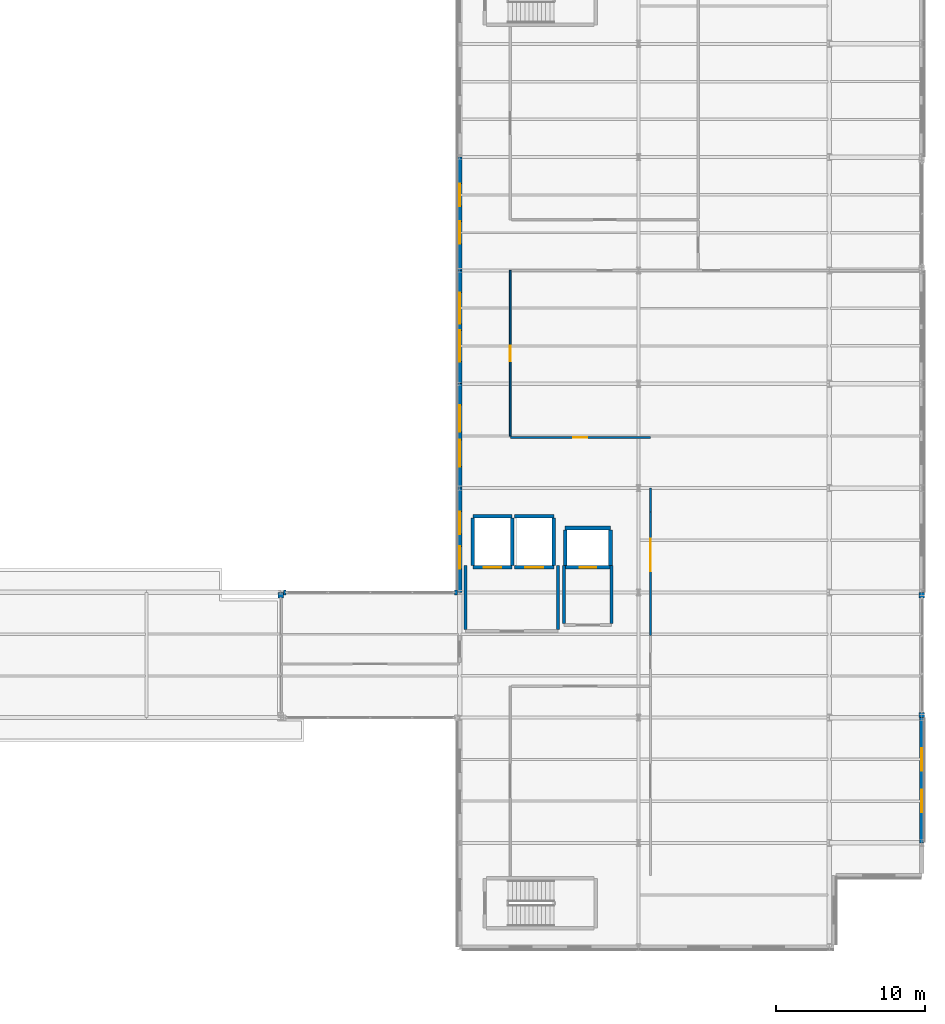
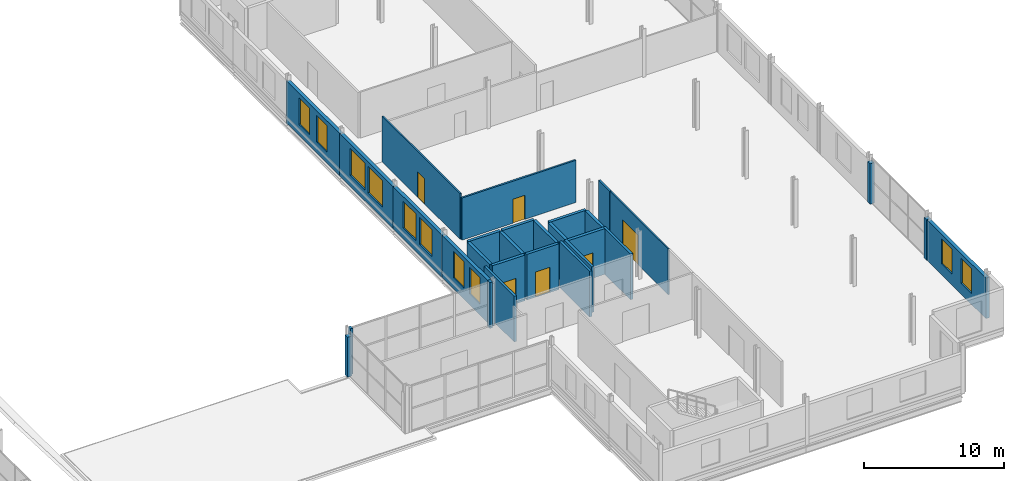
# One storey, part 86 of 93: 29 walls, 10 windows, 6 doors, 16 openings.
"""IFC4 building model written with IfcOpenShell, lengths in metres."""

import ifcopenshell
import ifcopenshell.guid

model = None  # the IFC model being written
_history = None  # IfcOwnerHistory: only IFC2X3 demands one
_inside = {}  # id of a spatial element -> (the spatial element, [elements in it])
_under = {}  # id of a project, library or spatial element -> (it, [spatial elements below it])
_declared = {}  # id of a project -> (the project, [libraries it declares])
_typed = {}  # id of a type object -> (the type object, [elements of that type])
_made_of = {}  # id of a material, layer set ... -> (it, [elements and type objects made of it])


def new_model(schema):
    """Start an empty IFC model of exactly this schema.

    Asked for "IFC4X3", IfcOpenShell would pick the latest addendum, in which some entities
    have other attributes; the version numbers below select the first issue.
    IFC2X3 requires an IfcOwnerHistory on every rooted entity: one is made here for all.
    """
    global model, _history
    if schema == "IFC4X3":
        model = ifcopenshell.file(schema_version=(4, 3, 0, 0))
    else:
        model = ifcopenshell.file(schema=schema)
    _inside.clear()
    _under.clear()
    _declared.clear()
    _typed.clear()
    _made_of.clear()
    _history = None
    if model.schema == "IFC2X3":
        org = make("IfcOrganization", Name="unknown")
        user = make(
            "IfcPersonAndOrganization",
            ThePerson=make("IfcPerson", FamilyName="unknown"),
            TheOrganization=org,
        )
        app = make(
            "IfcApplication",
            ApplicationDeveloper=org,
            Version="unknown",
            ApplicationFullName="unknown",
            ApplicationIdentifier="unknown",
        )
        _history = make(
            "IfcOwnerHistory",
            OwningUser=user,
            OwningApplication=app,
            ChangeAction="ADDED",
            CreationDate=0,
        )
    return model


def make(cls, **values):
    """One entity of the class cls with the attributes given. An attribute that is None is left unset."""
    return model.create_entity(
        cls, **{name: value for name, value in values.items() if value is not None}
    )


def rooted(cls, **values):
    """An entity with a GlobalId (a new one), such as an element, a storey or a relation."""
    return make(cls, GlobalId=ifcopenshell.guid.new(), OwnerHistory=_history, **values)


def si_unit(unit_type, name, prefix=None):
    """IfcSIUnit, for example si_unit("LENGTHUNIT", "METRE", prefix="MILLI")."""
    return make("IfcSIUnit", UnitType=unit_type, Prefix=prefix, Name=name)


def assignment(units):
    """IfcUnitAssignment: the units of a project."""
    return None if units is None else make("IfcUnitAssignment", Units=units)


def point(xyz):
    """IfcCartesianPoint."""
    return None if xyz is None else make("IfcCartesianPoint", Coordinates=xyz)


def direction(xyz):
    """IfcDirection."""
    return None if xyz is None else make("IfcDirection", DirectionRatios=xyz)


def frame(location, z_axis=None, x_axis=None):
    """IfcAxis2Placement3D, a coordinate frame: its origin and axes. An axis left out is left unset."""
    return make(
        "IfcAxis2Placement3D",
        Location=point(location),
        Axis=direction(z_axis),
        RefDirection=direction(x_axis),
    )


def frame_2d(location, x_axis=None):
    """IfcAxis2Placement2D, a coordinate frame in the plane: its origin and x axis."""
    return make(
        "IfcAxis2Placement2D", Location=point(location), RefDirection=direction(x_axis)
    )


def origin():
    """The frame at (0, 0, 0) with its axes left unset."""
    return frame((0.0, 0.0, 0.0))


def place(relative_to, where):
    """IfcLocalPlacement: puts the frame where relative to a parent placement (None: the world)."""
    return make(
        "IfcLocalPlacement", PlacementRelTo=relative_to, RelativePlacement=where
    )


def context(
    kind, dimensions, precision=None, world=None, true_north=None, identifier=None
):
    """IfcGeometricRepresentationContext, for example the 3D "Model" context."""
    return make(
        "IfcGeometricRepresentationContext",
        ContextIdentifier=identifier,
        ContextType=kind,
        CoordinateSpaceDimension=dimensions,
        Precision=precision,
        WorldCoordinateSystem=world,
        TrueNorth=true_north,
    )


def subcontext(parent, identifier, kind, view, scale=None):
    """IfcGeometricRepresentationSubContext, for example "Body" below "Model"."""
    return make(
        "IfcGeometricRepresentationSubContext",
        ContextIdentifier=identifier,
        ContextType=kind,
        ParentContext=parent,
        TargetScale=scale,
        TargetView=view,
    )


def project(units=None, contexts=None):
    """IfcProject with its units and contexts."""
    return rooted(
        "IfcProject",
        Name="project",
        RepresentationContexts=contexts,
        UnitsInContext=assignment(units),
    )


def spatial(cls, under=None, at=None, **own):
    """A site, building, storey or space (cls), placed at a placement, below another one or the project."""
    s = rooted(cls, ObjectPlacement=at, **own)
    if under is not None:
        _under.setdefault(under.id(), (under, []))[1].append(s)
    return s


def profile(cls, at=None, kind="AREA", **sizes):
    """A parametric profile (cls). Its sizes go by their IFC names, for example OverallWidth=200.0."""
    return make(cls, ProfileType=kind, Position=at, **sizes)


def rectangle(**sizes):
    """IfcRectangleProfileDef."""
    return profile("IfcRectangleProfileDef", **sizes)


def extrude(swept, where, along, depth):
    """IfcExtrudedAreaSolid: the profile swept, set in the frame where, extruded along a direction by depth."""
    return make(
        "IfcExtrudedAreaSolid",
        SweptArea=swept,
        Position=where,
        ExtrudedDirection=direction(along),
        Depth=depth,
    )


def shape(context_of_items, identifier, shape_type, items):
    """IfcShapeRepresentation: the items that make up one representation, for example the "Body"."""
    return make(
        "IfcShapeRepresentation",
        ContextOfItems=context_of_items,
        RepresentationIdentifier=identifier,
        RepresentationType=shape_type,
        Items=items,
    )


def material(Name=None, Category=None):
    """IfcMaterial."""
    return make("IfcMaterial", Name=Name, Category=Category)


def layer(
    of_material, thickness, ventilated=None, Name=None, Category=None, Priority=None
):
    """IfcMaterialLayer: one layer of a wall or slab, of a material (None: an air gap)."""
    return make(
        "IfcMaterialLayer",
        Material=of_material,
        LayerThickness=thickness,
        IsVentilated=ventilated,
        Name=Name,
        Category=Category,
        Priority=Priority,
    )


def layer_set(layers, Name=None):
    """IfcMaterialLayerSet."""
    return make("IfcMaterialLayerSet", MaterialLayers=layers, LayerSetName=Name)


def made_of(thing, what):
    """Note that an element or type object is made of a material, layer set ...; save() writes the relation."""
    if what is not None:
        _made_of.setdefault(what.id(), (what, []))[1].append(thing)
    return thing


def type_object(cls, material=None, **own):
    """A type object (cls), such as IfcWallType, which elements share."""
    return made_of(rooted(cls, **own), material)


def element(
    cls,
    number,
    at=None,
    inside=None,
    cuts=None,
    type_object=None,
    material=None,
    context=None,
    identifier="Body",
    shape_type=None,
    held_by="IfcProductDefinitionShape",
    body=None,
    shapes=None,
    **own,
):
    """One element of the class cls, such as IfcWall. Its Tag is "e" and its number.

    at: its placement. inside: the storey or other place that contains it. cuts: it is an
    opening in that element (IfcRelVoidsElement). A single representation is given by context,
    identifier, shape_type and body (its items); several are given by shapes. held_by: the class
    of the entity that holds the representations. save() writes the other relations.
    """
    e = rooted(cls, Tag="e%d" % number, ObjectPlacement=at, **own)
    if body is not None:
        shapes = [shape(context, identifier, shape_type, body)]
    if shapes is not None:
        e.Representation = make(held_by, Representations=shapes)
    if inside is not None:
        _inside.setdefault(inside.id(), (inside, []))[1].append(e)
    if cuts is not None:
        rooted(
            "IfcRelVoidsElement", RelatingBuildingElement=cuts, RelatedOpeningElement=e
        )
    if type_object is not None:
        _typed.setdefault(type_object.id(), (type_object, []))[1].append(e)
    return made_of(e, material)


def fill(opening, filler):
    """IfcRelFillsElement: the door or window that sits in an opening."""
    return rooted(
        "IfcRelFillsElement",
        RelatingOpeningElement=opening,
        RelatedBuildingElement=filler,
    )


def aggregate(whole, parts):
    """IfcRelAggregates: a whole, such as a stair, and the parts it consists of."""
    return rooted("IfcRelAggregates", RelatingObject=whole, RelatedObjects=parts)


def save(model, path):
    """Write the relations noted so far, then the file.

    IfcRelAggregates (storeys below a building ...), IfcRelContainedInSpatialStructure (elements
    in a storey), IfcRelDefinesByType, IfcRelAssociatesMaterial and IfcRelDeclares: one each for
    every whole, place, type object, material and project.
    """
    for whole, parts in _under.values():
        aggregate(whole, parts)
    for where, things in _inside.values():
        rooted(
            "IfcRelContainedInSpatialStructure",
            RelatedElements=things,
            RelatingStructure=where,
        )
    for kind, things in _typed.values():
        rooted("IfcRelDefinesByType", RelatedObjects=things, RelatingType=kind)
    for what, things in _made_of.values():
        rooted("IfcRelAssociatesMaterial", RelatedObjects=things, RelatingMaterial=what)
    for by, libraries in _declared.values():
        rooted("IfcRelDeclares", RelatingContext=by, RelatedDefinitions=libraries)
    model.write(path)


model = new_model("IFC4")

# Units and contexts
model_context = context("Model", 3, precision=1e-05, world=origin(), true_north=direction((0.0, 1.0)))
body_context = subcontext(model_context, "Body", "Model", "MODEL_VIEW")
ifc_project = project(units=[si_unit("LENGTHUNIT", "METRE"), si_unit("AREAUNIT", "SQUARE_METRE"), si_unit("VOLUMEUNIT", "CUBIC_METRE"), si_unit("PLANEANGLEUNIT", "RADIAN"), si_unit("MASSUNIT", "GRAM", prefix="KILO")], contexts=[model_context])

# Site, building, storey
site_placement = place(None, origin())
site = spatial("IfcSite", under=ifc_project, at=site_placement, CompositionType="ELEMENT")
building_placement = place(site_placement, origin())
building = spatial("IfcBuilding", under=site, at=building_placement, Name="Vekula Escarpment Museum", CompositionType="ELEMENT")
storey_placement = place(building_placement, frame((0.0, 0.0, 22.199951171875)))
storey = spatial("IfcBuildingStorey", under=building, at=storey_placement, Name="L05", CompositionType="ELEMENT", Elevation=22.199951171875)

# Walls
ifc_material_1 = material(Name="Inkisi arkosic sandstone masonry", Category="masonry")
ifc_layer_1 = layer(ifc_material_1, 0.35009765625)
ifc_layer_set_1 = layer_set([ifc_layer_1], Name="Inkisi arkosic sandstone masonry")
wall_type_1 = type_object("IfcWallType", Name="WL-ALM-350", PredefinedType="SOLIDWALL", material=ifc_layer_set_1)
wall_1_placement = place(storey_placement, frame((155.0, 76.39990234375, 0.0), z_axis=(0.0, 0.0, 1.0), x_axis=(0.0, -1.0, 0.0)))
element("IfcWall", 1, at=wall_1_placement, inside=storey, type_object=wall_type_1, Name="Facade Jamb Pier L05-0872A", PredefinedType="SOLIDWALL", context=body_context, shape_type="SweptSolid", body=[
    extrude(rectangle(XDim=0.35986328125, YDim=0.35009765625, at=frame_2d((0.179931640625, 0.0))), origin(), (0.0, 0.0, 1.0), 3.485107421875),
])
wall_2_placement = place(storey_placement, frame((198.0, 68.0, 0.0), z_axis=(0.0, 0.0, 1.0), x_axis=(0.0, 1.0, 0.0)))
element("IfcWall", 2, at=wall_2_placement, inside=storey, type_object=wall_type_1, Name="Facade Jamb Pier L05-0884A", PredefinedType="SOLIDWALL", context=body_context, shape_type="SweptSolid", body=[
    extrude(rectangle(XDim=0.360107421875, YDim=0.35009765625, at=frame_2d((0.18017578125, 0.0))), origin(), (0.0, 0.0, 1.0), 3.525146484375),
])
wall_3_placement = place(storey_placement, frame((198.0, 76.0400390625, 0.0), z_axis=(0.0, 0.0, 1.0), x_axis=(0.0, 1.0, 0.0)))
element("IfcWall", 3, at=wall_3_placement, inside=storey, type_object=wall_type_1, Name="Facade Jamb Pier L05-0885B", PredefinedType="SOLIDWALL", context=body_context, shape_type="SweptSolid", body=[
    extrude(rectangle(XDim=0.35986328125, YDim=0.35009765625, at=frame_2d((0.179931640625, 0.0))), origin(), (0.0, 0.0, 1.0), 3.525146484375),
])
wall_4_placement = place(storey_placement, frame((166.85595703125, 76.39990234375, 0.0), z_axis=(0.0, 0.0, 1.0), x_axis=(-1.0, 0.0, 0.0)))
element("IfcWall", 4, at=wall_4_placement, inside=storey, type_object=wall_type_1, Name="Facade Jamb Pier L05-0903A", PredefinedType="SOLIDWALL", context=body_context, shape_type="SweptSolid", body=[
    extrude(rectangle(XDim=0.216064453125, YDim=0.35009765625, at=frame_2d((0.10791015625, 0.0))), origin(), (0.0, 0.0, 1.0), 3.97998046875),
])
wall_5_placement = place(storey_placement, frame((155.360107421875, 76.39990234375, 0.0), z_axis=(0.0, 0.0, 1.0), x_axis=(-1.0, 0.0, 0.0)))
element("IfcWall", 5, at=wall_5_placement, inside=storey, type_object=wall_type_1, Name="Facade Jamb Pier L05-0904B", PredefinedType="SOLIDWALL", context=body_context, shape_type="SweptSolid", body=[
    extrude(rectangle(XDim=0.18115234375, YDim=0.35009765625, at=frame_2d((0.090576171875, 0.0))), origin(), (0.0, 0.0, 1.0), 3.97998046875),
])

# Wall, openings, windows
ifc_material_2 = material(Name="Inkisi arkosic sandstone masonry", Category="masonry")
ifc_layer_2 = layer(ifc_material_2, 0.280029296875)
ifc_layer_set_2 = layer_set([ifc_layer_2], Name="Inkisi arkosic sandstone masonry")
wall_type_2 = type_object("IfcWallType", Name="WL-CUM-280", PredefinedType="SOLIDWALL", material=ifc_layer_set_2)
wall_6_placement = place(storey_placement, frame((198.0, 68.0, 0.0), z_axis=(0.0, 0.0, 1.0), x_axis=(0.0, -1.0, 0.0)))
wall_6 = element("IfcWall", 6, at=wall_6_placement, inside=storey, type_object=wall_type_2, Name="Exterior Wall WL-EXT-L05-0883", PredefinedType="SOLIDWALL", context=body_context, shape_type="SweptSolid", body=[
    extrude(rectangle(XDim=8.39990234375, YDim=0.280029296875, at=frame_2d((4.199951171875, 0.0))), origin(), (0.0, 0.0, 1.0), 3.525146484375),
])
opening_1_placement = place(wall_6_placement, frame((2.050048828125, 0.0, 0.949951171875)))
opening_1 = element("IfcOpeningElement", 7, at=opening_1_placement, cuts=wall_6, Name="Opening WN-06", PredefinedType="OPENING", context=body_context, shape_type="SweptSolid", body=[
    extrude(rectangle(XDim=1.5, YDim=2.179931640625, at=frame_2d((0.75, 1.08984375))), frame((0.0, 0.14990234375, 0.0), z_axis=(0.0, -1.0, 0.0), x_axis=(1.0, 0.0, 0.0)), (0.0, 0.0, 1.0), 0.300048828125),
])
opening_2_placement = place(wall_6_placement, frame((4.85009765625, 0.0, 0.949951171875)))
opening_2 = element("IfcOpeningElement", 8, at=opening_2_placement, cuts=wall_6, Name="Opening WN-06", PredefinedType="OPENING", context=body_context, shape_type="SweptSolid", body=[
    extrude(rectangle(XDim=1.5, YDim=2.179931640625, at=frame_2d((0.75, 1.08984375))), frame((0.0, 0.14990234375, 0.0), z_axis=(0.0, -1.0, 0.0), x_axis=(1.0, 0.0, 0.0)), (0.0, 0.0, 1.0), 0.300048828125),
])
ifc_material_3 = material(Name="Double solar-control low-E glass", Category="glass")
window_type_1 = type_object("IfcWindowType", Name="WN-CUMBA-15x24", PartitioningType="SINGLE_PANEL", PredefinedType="WINDOW", material=ifc_material_3)
window_1_placement = place(opening_1_placement, origin())
window_1 = element("IfcWindow", 9, at=window_1_placement, inside=storey, type_object=window_type_1, Name="Window L05-0478", OverallHeight=2.179931640625, OverallWidth=1.5, PartitioningType="SINGLE_PANEL", PredefinedType="WINDOW", context=body_context, shape_type="SweptSolid", body=[
    extrude(rectangle(XDim=1.5, YDim=2.179931640625, at=frame_2d((0.75, 1.08984375))), frame((0.0, 0.030029296875, 0.0), z_axis=(0.0, -1.0, 0.0), x_axis=(1.0, 0.0, 0.0)), (0.0, 0.0, 1.0), 0.06005859375),
])
fill(opening_1, window_1)
window_2_placement = place(opening_2_placement, origin())
window_2 = element("IfcWindow", 10, at=window_2_placement, inside=storey, type_object=window_type_1, Name="Window L05-0479", OverallHeight=2.179931640625, OverallWidth=1.5, PartitioningType="SINGLE_PANEL", PredefinedType="WINDOW", context=body_context, shape_type="SweptSolid", body=[
    extrude(rectangle(XDim=1.5, YDim=2.179931640625, at=frame_2d((0.75, 1.08984375))), frame((0.0, 0.030029296875, 0.0), z_axis=(0.0, -1.0, 0.0), x_axis=(1.0, 0.0, 0.0)), (0.0, 0.0, 1.0), 0.06005859375),
])
fill(opening_2, window_2)

wall_7_placement = place(storey_placement, frame((167.0, 98.0, 0.0), z_axis=(0.0, 0.0, 1.0), x_axis=(0.0, 1.0, 0.0)))
wall_7 = element("IfcWall", 11, at=wall_7_placement, inside=storey, type_object=wall_type_2, Name="Exterior Wall WL-EXT-L05-0899", PredefinedType="SOLIDWALL", context=body_context, shape_type="SweptSolid", body=[
    extrude(rectangle(XDim=7.60009765625, YDim=0.280029296875, at=frame_2d((3.800048828125, 0.0))), origin(), (0.0, 0.0, 1.0), 3.675048828125),
])
opening_3_placement = place(wall_7_placement, frame((1.783203125, 0.0, 0.949951171875)))
opening_3 = element("IfcOpeningElement", 12, at=opening_3_placement, cuts=wall_7, Name="Opening WN-06", PredefinedType="OPENING", context=body_context, shape_type="SweptSolid", body=[
    extrude(rectangle(XDim=1.5, YDim=2.330078125, at=frame_2d((0.75, 1.1650390625))), frame((0.0, 0.14990234375, 0.0), z_axis=(0.0, -1.0, 0.0), x_axis=(1.0, 0.0, 0.0)), (0.0, 0.0, 1.0), 0.300048828125),
])
opening_4_placement = place(wall_7_placement, frame((4.316650390625, 0.0, 0.949951171875)))
opening_4 = element("IfcOpeningElement", 13, at=opening_4_placement, cuts=wall_7, Name="Opening WN-06", PredefinedType="OPENING", context=body_context, shape_type="SweptSolid", body=[
    extrude(rectangle(XDim=1.5, YDim=2.330078125, at=frame_2d((0.75, 1.1650390625))), frame((0.0, 0.14990234375, 0.0), z_axis=(0.0, -1.0, 0.0), x_axis=(1.0, 0.0, 0.0)), (0.0, 0.0, 1.0), 0.300048828125),
])
window_3_placement = place(opening_3_placement, origin())
window_3 = element("IfcWindow", 14, at=window_3_placement, inside=storey, type_object=window_type_1, Name="Window L05-0496", OverallHeight=2.330078125, OverallWidth=1.5, PartitioningType="SINGLE_PANEL", PredefinedType="WINDOW", context=body_context, shape_type="SweptSolid", body=[
    extrude(rectangle(XDim=1.5, YDim=2.330078125, at=frame_2d((0.75, 1.1650390625))), frame((0.0, 0.030029296875, 0.0), z_axis=(0.0, -1.0, 0.0), x_axis=(1.0, 0.0, 0.0)), (0.0, 0.0, 1.0), 0.06005859375),
])
fill(opening_3, window_3)
window_4_placement = place(opening_4_placement, origin())
window_4 = element("IfcWindow", 15, at=window_4_placement, inside=storey, type_object=window_type_1, Name="Window L05-0497", OverallHeight=2.330078125, OverallWidth=1.5, PartitioningType="SINGLE_PANEL", PredefinedType="WINDOW", context=body_context, shape_type="SweptSolid", body=[
    extrude(rectangle(XDim=1.5, YDim=2.330078125, at=frame_2d((0.75, 1.1650390625))), frame((0.0, 0.030029296875, 0.0), z_axis=(0.0, -1.0, 0.0), x_axis=(1.0, 0.0, 0.0)), (0.0, 0.0, 1.0), 0.06005859375),
])
fill(opening_4, window_4)

wall_8_placement = place(storey_placement, frame((167.0, 90.39990234375, 0.0), z_axis=(0.0, 0.0, 1.0), x_axis=(0.0, 1.0, 0.0)))
wall_8 = element("IfcWall", 16, at=wall_8_placement, inside=storey, type_object=wall_type_2, Name="Exterior Wall WL-EXT-L05-0900", PredefinedType="SOLIDWALL", context=body_context, shape_type="SweptSolid", body=[
    extrude(rectangle(XDim=7.60009765625, YDim=0.280029296875, at=frame_2d((3.800048828125, 0.0))), origin(), (0.0, 0.0, 1.0), 3.675048828125),
])
opening_5_placement = place(wall_8_placement, frame((1.4833984375, 0.0, 0.949951171875)))
opening_5 = element("IfcOpeningElement", 17, at=opening_5_placement, cuts=wall_8, Name="Opening WN-08", PredefinedType="OPENING", context=body_context, shape_type="SweptSolid", body=[
    extrude(rectangle(XDim=2.10009765625, YDim=2.330078125, at=frame_2d((1.050048828125, 1.1650390625))), frame((0.0, 0.14990234375, 0.0), z_axis=(0.0, -1.0, 0.0), x_axis=(1.0, 0.0, 0.0)), (0.0, 0.0, 1.0), 0.300048828125),
])
opening_6_placement = place(wall_8_placement, frame((4.0166015625, 0.0, 0.949951171875)))
opening_6 = element("IfcOpeningElement", 18, at=opening_6_placement, cuts=wall_8, Name="Opening WN-08", PredefinedType="OPENING", context=body_context, shape_type="SweptSolid", body=[
    extrude(rectangle(XDim=2.10009765625, YDim=2.330078125, at=frame_2d((1.050048828125, 1.1650390625))), frame((0.0, 0.14990234375, 0.0), z_axis=(0.0, -1.0, 0.0), x_axis=(1.0, 0.0, 0.0)), (0.0, 0.0, 1.0), 0.300048828125),
])
ifc_material_4 = material(Name="Double solar-control low-E glass", Category="glass")
window_type_2 = type_object("IfcWindowType", Name="WN-CUMBA-21x28", PartitioningType="DOUBLE_PANEL_VERTICAL", PredefinedType="WINDOW", material=ifc_material_4)
window_5_placement = place(opening_5_placement, origin())
window_5 = element("IfcWindow", 19, at=window_5_placement, inside=storey, type_object=window_type_2, Name="Window L05-0498", OverallHeight=2.330078125, OverallWidth=2.10009765625, PartitioningType="SINGLE_PANEL", PredefinedType="WINDOW", context=body_context, shape_type="SweptSolid", body=[
    extrude(rectangle(XDim=2.10009765625, YDim=2.330078125, at=frame_2d((1.050048828125, 1.1650390625))), frame((0.0, 0.030029296875, 0.0), z_axis=(0.0, -1.0, 0.0), x_axis=(1.0, 0.0, 0.0)), (0.0, 0.0, 1.0), 0.06005859375),
])
fill(opening_5, window_5)
window_6_placement = place(opening_6_placement, origin())
window_6 = element("IfcWindow", 20, at=window_6_placement, inside=storey, type_object=window_type_2, Name="Window L05-0499", OverallHeight=2.330078125, OverallWidth=2.10009765625, PartitioningType="SINGLE_PANEL", PredefinedType="WINDOW", context=body_context, shape_type="SweptSolid", body=[
    extrude(rectangle(XDim=2.10009765625, YDim=2.330078125, at=frame_2d((1.050048828125, 1.1650390625))), frame((0.0, 0.030029296875, 0.0), z_axis=(0.0, -1.0, 0.0), x_axis=(1.0, 0.0, 0.0)), (0.0, 0.0, 1.0), 0.06005859375),
])
fill(opening_6, window_6)

wall_9_placement = place(storey_placement, frame((167.0, 83.39990234375, 0.0), z_axis=(0.0, 0.0, 1.0), x_axis=(0.0, 1.0, 0.0)))
wall_9 = element("IfcWall", 21, at=wall_9_placement, inside=storey, type_object=wall_type_2, Name="Exterior Wall WL-EXT-L05-0901", PredefinedType="SOLIDWALL", context=body_context, shape_type="SweptSolid", body=[
    extrude(rectangle(XDim=7.0, YDim=0.280029296875, at=frame_2d((3.5, 0.0))), origin(), (0.0, 0.0, 1.0), 3.675048828125),
])
opening_7_placement = place(wall_9_placement, frame((1.433349609375, 0.0, 0.949951171875)))
opening_7 = element("IfcOpeningElement", 22, at=opening_7_placement, cuts=wall_9, Name="Opening WN-07", PredefinedType="OPENING", context=body_context, shape_type="SweptSolid", body=[
    extrude(rectangle(XDim=1.800048828125, YDim=2.330078125, at=frame_2d((0.89990234375, 1.1650390625))), frame((0.0, 0.14990234375, 0.0), z_axis=(0.0, -1.0, 0.0), x_axis=(1.0, 0.0, 0.0)), (0.0, 0.0, 1.0), 0.300048828125),
])
opening_8_placement = place(wall_9_placement, frame((3.7666015625, 0.0, 0.949951171875)))
opening_8 = element("IfcOpeningElement", 23, at=opening_8_placement, cuts=wall_9, Name="Opening WN-07", PredefinedType="OPENING", context=body_context, shape_type="SweptSolid", body=[
    extrude(rectangle(XDim=1.800048828125, YDim=2.330078125, at=frame_2d((0.89990234375, 1.1650390625))), frame((0.0, 0.14990234375, 0.0), z_axis=(0.0, -1.0, 0.0), x_axis=(1.0, 0.0, 0.0)), (0.0, 0.0, 1.0), 0.300048828125),
])
ifc_material_5 = material(Name="Double solar-control low-E glass", Category="glass")
window_type_3 = type_object("IfcWindowType", Name="WN-CUMBA-18x26", PartitioningType="DOUBLE_PANEL_VERTICAL", PredefinedType="WINDOW", material=ifc_material_5)
window_7_placement = place(opening_7_placement, origin())
window_7 = element("IfcWindow", 24, at=window_7_placement, inside=storey, type_object=window_type_3, Name="Window L05-0500", OverallHeight=2.330078125, OverallWidth=1.800048828125, PartitioningType="SINGLE_PANEL", PredefinedType="WINDOW", context=body_context, shape_type="SweptSolid", body=[
    extrude(rectangle(XDim=1.800048828125, YDim=2.330078125, at=frame_2d((0.89990234375, 1.1650390625))), frame((0.0, 0.030029296875, 0.0), z_axis=(0.0, -1.0, 0.0), x_axis=(1.0, 0.0, 0.0)), (0.0, 0.0, 1.0), 0.06005859375),
])
fill(opening_7, window_7)
window_8_placement = place(opening_8_placement, origin())
window_8 = element("IfcWindow", 25, at=window_8_placement, inside=storey, type_object=window_type_3, Name="Window L05-0501", OverallHeight=2.330078125, OverallWidth=1.800048828125, PartitioningType="SINGLE_PANEL", PredefinedType="WINDOW", context=body_context, shape_type="SweptSolid", body=[
    extrude(rectangle(XDim=1.800048828125, YDim=2.330078125, at=frame_2d((0.89990234375, 1.1650390625))), frame((0.0, 0.030029296875, 0.0), z_axis=(0.0, -1.0, 0.0), x_axis=(1.0, 0.0, 0.0)), (0.0, 0.0, 1.0), 0.06005859375),
])
fill(opening_8, window_8)

wall_10_placement = place(storey_placement, frame((167.0, 76.39990234375, 0.0), z_axis=(0.0, 0.0, 1.0), x_axis=(0.0, 1.0, 0.0)))
wall_10 = element("IfcWall", 26, at=wall_10_placement, inside=storey, type_object=wall_type_2, Name="Exterior Wall WL-EXT-L05-0902", PredefinedType="SOLIDWALL", context=body_context, shape_type="SweptSolid", body=[
    extrude(rectangle(XDim=7.0, YDim=0.280029296875, at=frame_2d((3.5, 0.0))), origin(), (0.0, 0.0, 1.0), 3.675048828125),
])
opening_9_placement = place(wall_10_placement, frame((1.583251953125, 0.0, 0.949951171875)))
opening_9 = element("IfcOpeningElement", 27, at=opening_9_placement, cuts=wall_10, Name="Opening WN-06", PredefinedType="OPENING", context=body_context, shape_type="SweptSolid", body=[
    extrude(rectangle(XDim=1.5, YDim=2.330078125, at=frame_2d((0.75, 1.1650390625))), frame((0.0, 0.14990234375, 0.0), z_axis=(0.0, -1.0, 0.0), x_axis=(1.0, 0.0, 0.0)), (0.0, 0.0, 1.0), 0.300048828125),
])
opening_10_placement = place(wall_10_placement, frame((3.916748046875, 0.0, 0.949951171875)))
opening_10 = element("IfcOpeningElement", 28, at=opening_10_placement, cuts=wall_10, Name="Opening WN-06", PredefinedType="OPENING", context=body_context, shape_type="SweptSolid", body=[
    extrude(rectangle(XDim=1.5, YDim=2.330078125, at=frame_2d((0.75, 1.1650390625))), frame((0.0, 0.14990234375, 0.0), z_axis=(0.0, -1.0, 0.0), x_axis=(1.0, 0.0, 0.0)), (0.0, 0.0, 1.0), 0.300048828125),
])
window_9_placement = place(opening_9_placement, origin())
window_9 = element("IfcWindow", 29, at=window_9_placement, inside=storey, type_object=window_type_1, Name="Window L05-0502", OverallHeight=2.330078125, OverallWidth=1.5, PartitioningType="SINGLE_PANEL", PredefinedType="WINDOW", context=body_context, shape_type="SweptSolid", body=[
    extrude(rectangle(XDim=1.5, YDim=2.330078125, at=frame_2d((0.75, 1.1650390625))), frame((0.0, 0.030029296875, 0.0), z_axis=(0.0, -1.0, 0.0), x_axis=(1.0, 0.0, 0.0)), (0.0, 0.0, 1.0), 0.06005859375),
])
fill(opening_9, window_9)
window_10_placement = place(opening_10_placement, origin())
window_10 = element("IfcWindow", 30, at=window_10_placement, inside=storey, type_object=window_type_1, Name="Window L05-0503", OverallHeight=2.330078125, OverallWidth=1.5, PartitioningType="SINGLE_PANEL", PredefinedType="WINDOW", context=body_context, shape_type="SweptSolid", body=[
    extrude(rectangle(XDim=1.5, YDim=2.330078125, at=frame_2d((0.75, 1.1650390625))), frame((0.0, 0.030029296875, 0.0), z_axis=(0.0, -1.0, 0.0), x_axis=(1.0, 0.0, 0.0)), (0.0, 0.0, 1.0), 0.06005859375),
])
fill(opening_10, window_10)

# Walls
ifc_material_6 = material(Name="Concrete C35/45", Category="concrete")
ifc_layer_3 = layer(ifc_material_6, 0.199951171875)
ifc_layer_set_3 = layer_set([ifc_layer_3], Name="Concrete C35/45")
wall_type_3 = type_object("IfcWallType", Name="WL-FFL-200", PredefinedType="PARTITIONING", material=ifc_layer_set_3)
for number, where, z_axis, x_axis, name in (
    (31, (167.39990234375, 73.904052734375, 0.0), (0.0, 0.0, 1.0), (0.0, 1.0, 0.0), "Lift Lobby Wall LF-01 L05 W"),
    (32, (173.60009765625, 73.904052734375, 0.0), (0.0, 0.0, 1.0), (0.0, 1.0, 0.0), "Lift Lobby Wall LF-01 L05 E"),
):
    element("IfcWall", number, at=place(storey_placement, frame(where, z_axis=z_axis, x_axis=x_axis)), inside=storey, type_object=wall_type_3, Name=name, PredefinedType="PARTITIONING", context=body_context, shape_type="SweptSolid", body=[
        extrude(rectangle(XDim=4.2958984375, YDim=0.199951171875, at=frame_2d((2.14794921875, 0.0))), origin(), (0.0, 0.0, 1.0), 3.97998046875),
    ])
for number, where, z_axis, x_axis, name in (
    (33, (174.0, 74.303955078125, 0.0), (0.0, 0.0, 1.0), (0.0, 1.0, 0.0), "Lift Lobby Wall LP-03 L05 W"),
    (34, (177.199951171875, 74.303955078125, 0.0), (0.0, 0.0, 1.0), (0.0, 1.0, 0.0), "Lift Lobby Wall LP-03 L05 E"),
):
    element("IfcWall", number, at=place(storey_placement, frame(where, z_axis=z_axis, x_axis=x_axis)), inside=storey, type_object=wall_type_3, Name=name, PredefinedType="PARTITIONING", context=body_context, shape_type="SweptSolid", body=[
        extrude(rectangle(XDim=3.89599609375, YDim=0.199951171875, at=frame_2d((1.947998046875, 0.0))), origin(), (0.0, 0.0, 1.0), 3.97998046875),
    ])

# Wall, opening, door
ifc_material_7 = material(Name="Lightweight studio partition", Category="gypsum")
ifc_layer_4 = layer(ifc_material_7, 0.1201171875)
ifc_layer_set_4 = layer_set([ifc_layer_4], Name="Lightweight studio partition")
wall_type_4 = type_object("IfcWallType", Name="WL-PART-120", PredefinedType="PARTITIONING", material=ifc_layer_set_4)
wall_11_placement = place(storey_placement, frame((179.800048828125, 73.5, 0.0), z_axis=(0.0, 0.0, 1.0), x_axis=(0.0, 1.0, 0.0)))
wall_11 = element("IfcWall", 35, at=wall_11_placement, inside=storey, type_object=wall_type_4, Name="Interior Partition WL-INT-L05-0039", PredefinedType="PARTITIONING", context=body_context, shape_type="SweptSolid", body=[
    extrude(rectangle(XDim=8.300048828125, YDim=0.1201171875, at=frame_2d((4.14990234375, 0.0))), origin(), (0.0, 0.0, 1.0), 3.97998046875),
])
opening_11_placement = place(wall_11_placement, frame((4.31005859375, 0.0, 0.0)))
opening_11 = element("IfcOpeningElement", 36, at=opening_11_placement, cuts=wall_11, Name="Opening DR-GL22", PredefinedType="OPENING", context=body_context, shape_type="SweptSolid", body=[
    extrude(rectangle(XDim=2.199951171875, YDim=2.60009765625, at=frame_2d((1.10009765625, 1.300048828125))), frame((0.0, 0.070068359375, 0.0), z_axis=(0.0, -1.0, 0.0), x_axis=(1.0, 0.0, 0.0)), (0.0, 0.0, 1.0), 0.14013671875),
])
ifc_material_8 = material(Name="Double acoustic timber gallery door", Category="wood")
door_type_1 = type_object("IfcDoorType", Name="DR-GAL-2200x2600", OperationType="NOTDEFINED", PredefinedType="DOOR", material=ifc_material_8)
door_1_placement = place(opening_11_placement, origin())
door_1 = element("IfcDoor", 37, at=door_1_placement, inside=storey, type_object=door_type_1, Name="Interior Door L05-037", OperationType="SINGLE_SWING_LEFT", OverallHeight=2.60009765625, OverallWidth=2.199951171875, PredefinedType="DOOR", context=body_context, shape_type="SweptSolid", body=[
    extrude(rectangle(XDim=2.199951171875, YDim=2.60009765625, at=frame_2d((1.10009765625, 1.300048828125))), frame((0.0, 0.02490234375, 0.0), z_axis=(0.0, -1.0, 0.0), x_axis=(1.0, 0.0, 0.0)), (0.0, 0.0, 1.0), 0.050048828125),
])
fill(opening_11, door_1)

wall_12_placement = place(storey_placement, frame((170.39990234375, 86.87890625, 0.0), z_axis=(0.0, 0.0, 1.0), x_axis=(0.0, 1.0, 0.0)))
wall_12 = element("IfcWall", 38, at=wall_12_placement, inside=storey, type_object=wall_type_4, Name="Interior Partition WL-INT-L05-0042", PredefinedType="PARTITIONING", context=body_context, shape_type="SweptSolid", body=[
    extrude(rectangle(XDim=11.12109375, YDim=0.1201171875, at=frame_2d((5.560546875, 0.0))), origin(), (0.0, 0.0, 1.0), 3.97998046875),
])
opening_12_placement = place(wall_12_placement, frame((5.035400390625, 0.0, 0.0)))
opening_12 = element("IfcOpeningElement", 39, at=opening_12_placement, cuts=wall_12, Name="Opening DR-CR10", PredefinedType="OPENING", context=body_context, shape_type="SweptSolid", body=[
    extrude(rectangle(XDim=1.050048828125, YDim=2.199951171875, at=frame_2d((0.52490234375, 1.10009765625))), frame((0.0, 0.070068359375, 0.0), z_axis=(0.0, -1.0, 0.0), x_axis=(1.0, 0.0, 0.0)), (0.0, 0.0, 1.0), 0.14013671875),
])
ifc_material_9 = material(Name="Solid hardwood curatorial door", Category="wood")
door_type_2 = type_object("IfcDoorType", Name="DR-CUR-1050x2200", OperationType="NOTDEFINED", PredefinedType="DOOR", material=ifc_material_9)
door_2_placement = place(opening_12_placement, origin())
door_2 = element("IfcDoor", 40, at=door_2_placement, inside=storey, type_object=door_type_2, Name="Interior Door L05-039", OperationType="SINGLE_SWING_LEFT", OverallHeight=2.199951171875, OverallWidth=1.050048828125, PredefinedType="DOOR", context=body_context, shape_type="SweptSolid", body=[
    extrude(rectangle(XDim=1.050048828125, YDim=2.199951171875, at=frame_2d((0.52490234375, 1.10009765625))), frame((0.0, 0.02490234375, 0.0), z_axis=(0.0, -1.0, 0.0), x_axis=(1.0, 0.0, 0.0)), (0.0, 0.0, 1.0), 0.050048828125),
])
fill(opening_12, door_2)

ifc_material_10 = material(Name="Gypsum board dry-lined partition", Category="gypsum")
ifc_layer_5 = layer(ifc_material_10, 0.14990234375)
ifc_layer_set_5 = layer_set([ifc_layer_5], Name="Gypsum board dry-lined partition")
wall_type_5 = type_object("IfcWallType", Name="WL-PART-150", PredefinedType="PARTITIONING", material=ifc_layer_set_5)
wall_13_placement = place(storey_placement, frame((170.39990234375, 86.800048828125, 0.0), z_axis=(0.0, 0.0, 1.0), x_axis=(1.0, 0.0, 0.0)))
wall_13 = element("IfcWall", 41, at=wall_13_placement, inside=storey, type_object=wall_type_5, Name="Interior Partition WL-INT-L05-0041", PredefinedType="PARTITIONING", context=body_context, shape_type="SweptSolid", body=[
    extrude(rectangle(XDim=9.400146484375, YDim=0.14990234375, at=frame_2d((4.7001953125, 0.0))), origin(), (0.0, 0.0, 1.0), 3.6650390625),
])
opening_13_placement = place(wall_13_placement, frame((4.22509765625, 0.0, 0.0)))
opening_13 = element("IfcOpeningElement", 42, at=opening_13_placement, cuts=wall_13, Name="Opening DR-OF09", PredefinedType="OPENING", context=body_context, shape_type="SweptSolid", body=[
    extrude(rectangle(XDim=0.949951171875, YDim=2.10009765625, at=frame_2d((0.47509765625, 1.050048828125))), frame((0.0, 0.0849609375, 0.0), z_axis=(0.0, -1.0, 0.0), x_axis=(1.0, 0.0, 0.0)), (0.0, 0.0, 1.0), 0.169921875),
])
ifc_material_11 = material(Name="Solid core timber office door", Category="wood")
door_type_3 = type_object("IfcDoorType", Name="DR-OFF-0950x2100", OperationType="NOTDEFINED", PredefinedType="DOOR", material=ifc_material_11)
door_3_placement = place(opening_13_placement, origin())
door_3 = element("IfcDoor", 43, at=door_3_placement, inside=storey, type_object=door_type_3, Name="Interior Door L05-038", OperationType="SINGLE_SWING_RIGHT", OverallHeight=2.10009765625, OverallWidth=0.949951171875, PredefinedType="DOOR", context=body_context, shape_type="SweptSolid", body=[
    extrude(rectangle(XDim=0.949951171875, YDim=2.10009765625, at=frame_2d((0.47509765625, 1.050048828125))), frame((0.0, 0.02490234375, 0.0), z_axis=(0.0, -1.0, 0.0), x_axis=(1.0, 0.0, 0.0)), (0.0, 0.0, 1.0), 0.050048828125),
])
fill(opening_13, door_3)

# Wall
ifc_material_12 = material(Name="Gypsum board gallery partition", Category="gypsum")
ifc_layer_6 = layer(ifc_material_12, 0.159912109375)
ifc_layer_set_6 = layer_set([ifc_layer_6], Name="Gypsum board gallery partition")
wall_type_6 = type_object("IfcWallType", Name="WL-PART-160", PredefinedType="PARTITIONING", material=ifc_layer_set_6)
wall_14_placement = place(storey_placement, frame((179.800048828125, 81.800048828125, 0.0), z_axis=(0.0, 0.0, 1.0), x_axis=(0.0, 1.0, 0.0)))
element("IfcWall", 44, at=wall_14_placement, inside=storey, type_object=wall_type_6, Name="Interior Partition WL-INT-L05-0040", PredefinedType="PARTITIONING", context=body_context, shape_type="SweptSolid", body=[
    extrude(rectangle(XDim=1.599853515625, YDim=0.159912109375, at=frame_2d((0.7998046875, 0.0))), origin(), (0.0, 0.0, 1.0), 3.97998046875),
])

# Wall, opening, door
ifc_material_13 = material(Name="Concrete C35/45", Category="concrete")
ifc_layer_7 = layer(ifc_material_13, 0.239990234375)
ifc_layer_set_7 = layer_set([ifc_layer_7], Name="Concrete C35/45")
wall_type_7 = type_object("IfcWallType", Name="WL-SHF-240", PredefinedType="SHEAR", material=ifc_layer_set_7)
wall_15_placement = place(storey_placement, frame((167.8798828125, 78.080078125, 0.0), z_axis=(0.0, 0.0, 1.0), x_axis=(1.0, 0.0, 0.0)))
wall_15 = element("IfcWall", 45, at=wall_15_placement, inside=storey, type_object=wall_type_7, Name="Lift Shaft Wall LF-01 L05 S", PredefinedType="SHEAR", context=body_context, shape_type="SweptSolid", body=[
    extrude(rectangle(XDim=2.64013671875, YDim=0.239990234375, at=frame_2d((1.320068359375, 0.0))), origin(), (0.0, 0.0, 1.0), 3.97998046875),
])
opening_14_placement = place(wall_15_placement, frame((0.719970703125, 0.0, 0.0)))
opening_14 = element("IfcOpeningElement", 46, at=opening_14_placement, cuts=wall_15, Name="Opening LD-FF", PredefinedType="OPENING", context=body_context, shape_type="SweptSolid", body=[
    extrude(rectangle(XDim=1.199951171875, YDim=2.199951171875, at=frame_2d((0.60009765625, 1.10009765625))), frame((0.0, 0.1298828125, 0.0), z_axis=(0.0, -1.0, 0.0), x_axis=(1.0, 0.0, 0.0)), (0.0, 0.0, 1.0), 0.260009765625),
])
ifc_material_14 = material(Name="Fire-rated stainless steel sliding lift landing door", Category="steel")
door_type_4 = type_object("IfcDoorType", Name="DR-LD-FF-1200", OperationType="DOUBLE_DOOR_SLIDING", PredefinedType="DOOR", material=ifc_material_14)
door_4_placement = place(opening_14_placement, origin())
door_4 = element("IfcDoor", 47, at=door_4_placement, inside=storey, type_object=door_type_4, Name="Sliding Lift Landing Door LF-01 L05", OperationType="DOUBLE_DOOR_SLIDING", OverallHeight=2.199951171875, OverallWidth=1.199951171875, PredefinedType="DOOR", context=body_context, shape_type="SweptSolid", body=[
    extrude(rectangle(XDim=1.199951171875, YDim=2.199951171875, at=frame_2d((0.60009765625, 1.10009765625))), frame((0.0, 0.02490234375, 0.0), z_axis=(0.0, -1.0, 0.0), x_axis=(1.0, 0.0, 0.0)), (0.0, 0.0, 1.0), 0.050048828125),
])
fill(opening_14, door_4)

# Walls
wall_16_placement = place(storey_placement, frame((167.8798828125, 81.52001953125, 0.0), z_axis=(0.0, 0.0, 1.0), x_axis=(1.0, 0.0, 0.0)))
element("IfcWall", 48, at=wall_16_placement, inside=storey, type_object=wall_type_7, Name="Lift Shaft Wall LF-01 L05 N", PredefinedType="SHEAR", context=body_context, shape_type="SweptSolid", body=[
    extrude(rectangle(XDim=2.64013671875, YDim=0.239990234375, at=frame_2d((1.320068359375, 0.0))), origin(), (0.0, 0.0, 1.0), 3.97998046875),
])
for number, where, z_axis, x_axis, name in (
    (49, (167.8798828125, 78.2041015625, 0.0), (0.0, 0.0, 1.0), (0.0, 1.0, 0.0), "Lift Shaft Wall LF-01 L05 W"),
    (50, (170.52001953125, 78.2041015625, 0.0), (0.0, 0.0, 1.0), (0.0, 1.0, 0.0), "Lift Shaft Wall LF-01 L05 E"),
):
    element("IfcWall", number, at=place(storey_placement, frame(where, z_axis=z_axis, x_axis=x_axis)), inside=storey, type_object=wall_type_7, Name=name, PredefinedType="SHEAR", context=body_context, shape_type="SweptSolid", body=[
        extrude(rectangle(XDim=3.19189453125, YDim=0.239990234375, at=frame_2d((1.595947265625, 0.0))), origin(), (0.0, 0.0, 1.0), 3.97998046875),
    ])

# Wall, opening, door
wall_17_placement = place(storey_placement, frame((170.679931640625, 78.080078125, 0.0), z_axis=(0.0, 0.0, 1.0), x_axis=(1.0, 0.0, 0.0)))
wall_17 = element("IfcWall", 51, at=wall_17_placement, inside=storey, type_object=wall_type_7, Name="Lift Shaft Wall LF-02 L05 S", PredefinedType="SHEAR", context=body_context, shape_type="SweptSolid", body=[
    extrude(rectangle(XDim=2.64013671875, YDim=0.239990234375, at=frame_2d((1.320068359375, 0.0))), origin(), (0.0, 0.0, 1.0), 3.97998046875),
])
opening_15_placement = place(wall_17_placement, frame((0.719970703125, 0.0, 0.0)))
opening_15 = element("IfcOpeningElement", 52, at=opening_15_placement, cuts=wall_17, Name="Opening LD-FF", PredefinedType="OPENING", context=body_context, shape_type="SweptSolid", body=[
    extrude(rectangle(XDim=1.199951171875, YDim=2.199951171875, at=frame_2d((0.60009765625, 1.10009765625))), frame((0.0, 0.1298828125, 0.0), z_axis=(0.0, -1.0, 0.0), x_axis=(1.0, 0.0, 0.0)), (0.0, 0.0, 1.0), 0.260009765625),
])
door_5_placement = place(opening_15_placement, origin())
door_5 = element("IfcDoor", 53, at=door_5_placement, inside=storey, type_object=door_type_4, Name="Sliding Lift Landing Door LF-02 L05", OperationType="DOUBLE_DOOR_SLIDING", OverallHeight=2.199951171875, OverallWidth=1.199951171875, PredefinedType="DOOR", context=body_context, shape_type="SweptSolid", body=[
    extrude(rectangle(XDim=1.199951171875, YDim=2.199951171875, at=frame_2d((0.60009765625, 1.10009765625))), frame((0.0, 0.02490234375, 0.0), z_axis=(0.0, -1.0, 0.0), x_axis=(1.0, 0.0, 0.0)), (0.0, 0.0, 1.0), 0.050048828125),
])
fill(opening_15, door_5)

# Walls
wall_18_placement = place(storey_placement, frame((170.679931640625, 81.52001953125, 0.0), z_axis=(0.0, 0.0, 1.0), x_axis=(1.0, 0.0, 0.0)))
element("IfcWall", 54, at=wall_18_placement, inside=storey, type_object=wall_type_7, Name="Lift Shaft Wall LF-02 L05 N", PredefinedType="SHEAR", context=body_context, shape_type="SweptSolid", body=[
    extrude(rectangle(XDim=2.64013671875, YDim=0.239990234375, at=frame_2d((1.320068359375, 0.0))), origin(), (0.0, 0.0, 1.0), 3.97998046875),
])
wall_19_placement = place(storey_placement, frame((173.320068359375, 78.2041015625, 0.0), z_axis=(0.0, 0.0, 1.0), x_axis=(0.0, 1.0, 0.0)))
element("IfcWall", 55, at=wall_19_placement, inside=storey, type_object=wall_type_7, Name="Lift Shaft Wall LF-02 L05 E", PredefinedType="SHEAR", context=body_context, shape_type="SweptSolid", body=[
    extrude(rectangle(XDim=3.19189453125, YDim=0.239990234375, at=frame_2d((1.595947265625, 0.0))), origin(), (0.0, 0.0, 1.0), 3.97998046875),
])

# Wall, opening, door
wall_20_placement = place(storey_placement, frame((174.080078125, 78.080078125, 0.0), z_axis=(0.0, 0.0, 1.0), x_axis=(1.0, 0.0, 0.0)))
wall_20 = element("IfcWall", 56, at=wall_20_placement, inside=storey, type_object=wall_type_7, Name="Lift Shaft Wall LP-03 L05 S", PredefinedType="SHEAR", context=body_context, shape_type="SweptSolid", body=[
    extrude(rectangle(XDim=3.0400390625, YDim=0.239990234375, at=frame_2d((1.52001953125, 0.0))), origin(), (0.0, 0.0, 1.0), 3.97998046875),
])
opening_16_placement = place(wall_20_placement, frame((0.969970703125, 0.0, 0.0)))
opening_16 = element("IfcOpeningElement", 57, at=opening_16_placement, cuts=wall_20, Name="Opening LD-PAX", PredefinedType="OPENING", context=body_context, shape_type="SweptSolid", body=[
    extrude(rectangle(XDim=1.10009765625, YDim=2.199951171875, at=frame_2d((0.550048828125, 1.10009765625))), frame((0.0, 0.1298828125, 0.0), z_axis=(0.0, -1.0, 0.0), x_axis=(1.0, 0.0, 0.0)), (0.0, 0.0, 1.0), 0.260009765625),
])
ifc_material_15 = material(Name="Brushed stainless steel sliding lift landing door", Category="steel")
door_type_5 = type_object("IfcDoorType", Name="DR-LD-PAX-1100", OperationType="DOUBLE_DOOR_SLIDING", PredefinedType="DOOR", material=ifc_material_15)
door_6_placement = place(opening_16_placement, origin())
door_6 = element("IfcDoor", 58, at=door_6_placement, inside=storey, type_object=door_type_5, Name="Sliding Lift Landing Door LP-03 L05", OperationType="DOUBLE_DOOR_SLIDING", OverallHeight=2.199951171875, OverallWidth=1.10009765625, PredefinedType="DOOR", context=body_context, shape_type="SweptSolid", body=[
    extrude(rectangle(XDim=1.10009765625, YDim=2.199951171875, at=frame_2d((0.550048828125, 1.10009765625))), frame((0.0, 0.02490234375, 0.0), z_axis=(0.0, -1.0, 0.0), x_axis=(1.0, 0.0, 0.0)), (0.0, 0.0, 1.0), 0.050048828125),
])
fill(opening_16, door_6)

# Walls
wall_21_placement = place(storey_placement, frame((174.080078125, 80.719970703125, 0.0), z_axis=(0.0, 0.0, 1.0), x_axis=(1.0, 0.0, 0.0)))
element("IfcWall", 59, at=wall_21_placement, inside=storey, type_object=wall_type_7, Name="Lift Shaft Wall LP-03 L05 N", PredefinedType="SHEAR", context=body_context, shape_type="SweptSolid", body=[
    extrude(rectangle(XDim=3.0400390625, YDim=0.239990234375, at=frame_2d((1.52001953125, 0.0))), origin(), (0.0, 0.0, 1.0), 3.97998046875),
])
for number, where, z_axis, x_axis, name in (
    (60, (174.080078125, 78.2041015625, 0.0), (0.0, 0.0, 1.0), (0.0, 1.0, 0.0), "Lift Shaft Wall LP-03 L05 W"),
    (61, (177.1201171875, 78.2041015625, 0.0), (0.0, 0.0, 1.0), (0.0, 1.0, 0.0), "Lift Shaft Wall LP-03 L05 E"),
):
    element("IfcWall", number, at=place(storey_placement, frame(where, z_axis=z_axis, x_axis=x_axis)), inside=storey, type_object=wall_type_7, Name=name, PredefinedType="SHEAR", context=body_context, shape_type="SweptSolid", body=[
        extrude(rectangle(XDim=2.391845703125, YDim=0.239990234375, at=frame_2d((1.19580078125, 0.0))), origin(), (0.0, 0.0, 1.0), 3.97998046875),
    ])

save(model, "model.ifc")
